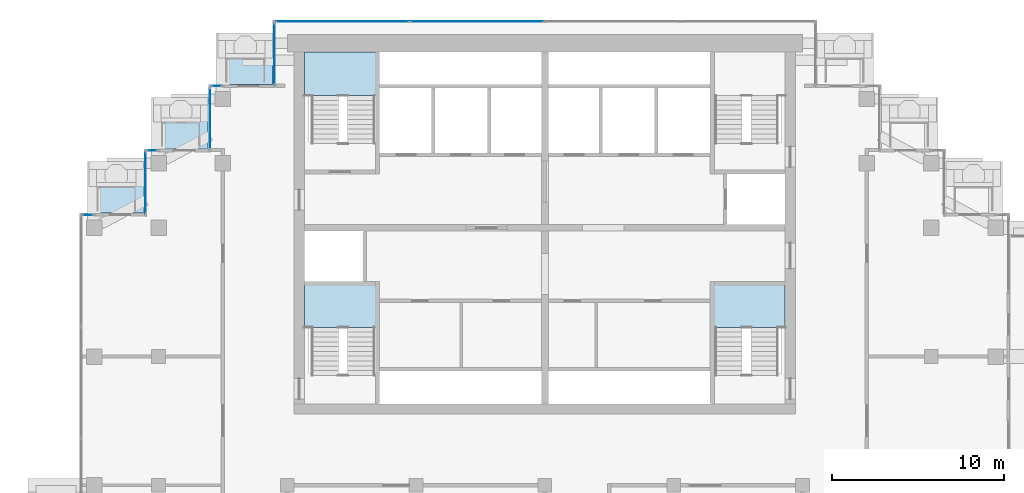
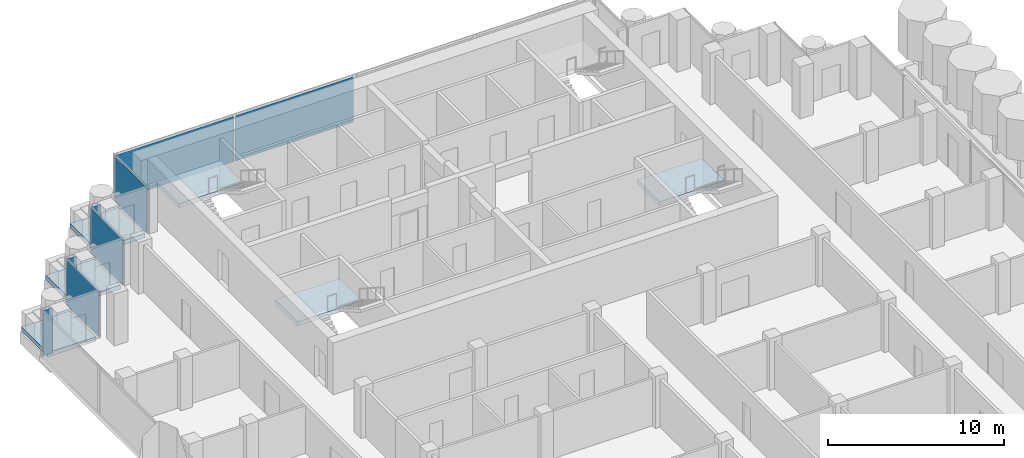
# One storey, part 9 of 18: 8 plates, 6 slabs, 10 elements without a shape of their own.
"""IFC4 building model written with IfcOpenShell, lengths in metres."""

from ifc_helpers import new_model, si_unit, direction, frame, origin, origin_2d, place, context, subcontext, project, spatial, polyline, rectangle, outline, extrude, material, layer, layer_set, type_object, element, aggregate, save


model = new_model("IFC4")

# Units and contexts
model_context = context("Model", 3, precision=1e-05, world=origin(), true_north=direction((0.0, 1.0)))
body_context = subcontext(model_context, "Body", "Model", "MODEL_VIEW")
ifc_project = project(units=[si_unit("LENGTHUNIT", "METRE"), si_unit("AREAUNIT", "SQUARE_METRE"), si_unit("VOLUMEUNIT", "CUBIC_METRE"), si_unit("PLANEANGLEUNIT", "RADIAN"), si_unit("MASSUNIT", "GRAM", prefix="KILO")], contexts=[model_context])

# Site, building, storey
site_placement = place(None, origin())
site = spatial("IfcSite", under=ifc_project, at=site_placement, CompositionType="ELEMENT")
building_placement = place(site_placement, origin())
building = spatial("IfcBuilding", under=site, at=building_placement, Name="Pilkhan Gate Tower", CompositionType="ELEMENT")
storey_placement = place(building_placement, frame((0.0, 0.0, 231.89990234375)))
storey = spatial("IfcBuildingStorey", under=building, at=storey_placement, Name="L60", CompositionType="ELEMENT", Elevation=231.89990234375)

# Slabs
ifc_material_1 = material(Name="Concrete C60/75", Category="concrete")
ifc_layer_1 = layer(ifc_material_1, 0.300048828125)
ifc_layer_set_1 = layer_set([ifc_layer_1], Name="Balcony tray slab TR300")
slab_type_1 = type_object("IfcSlabType", Name="Balcony tray slab TR300", PredefinedType="FLOOR", material=ifc_layer_set_1)
slab_1_placement = place(storey_placement, frame((0.0, 0.0, -0.2998046875)))
element("IfcSlab", 1, at=slab_1_placement, inside=storey, type_object=slab_type_1, Name="Balcony tray L60 N", PredefinedType="FLOOR", context=body_context, shape_type="SweptSolid", body=[
    extrude(outline(polyline([(59.14990234375, 90.85009765625), (59.14990234375, 93.85009765625), (55.949951171875, 93.85009765625), (55.949951171875, 90.85009765625), (59.14990234375, 90.85009765625)])), origin(), (0.0, 0.0, 1.0), 0.2998046875),
])
slab_2_placement = place(storey_placement, frame((0.0, 0.0, -0.2998046875)))
element("IfcSlab", 2, at=slab_2_placement, inside=storey, type_object=slab_type_1, Name="Balcony tray L60 N", PredefinedType="FLOOR", context=body_context, shape_type="SweptSolid", body=[
    extrude(outline(polyline([(55.3798828125, 87.1201171875), (55.3798828125, 90.10009765625), (52.199951171875, 90.10009765625), (52.199951171875, 87.1201171875), (55.3798828125, 87.1201171875)])), origin(), (0.0, 0.0, 1.0), 0.2998046875),
])
slab_3_placement = place(storey_placement, frame((0.0, 0.0, -0.2998046875)))
element("IfcSlab", 3, at=slab_3_placement, inside=storey, type_object=slab_type_1, Name="Balcony tray L60 N", PredefinedType="FLOOR", context=body_context, shape_type="SweptSolid", body=[
    extrude(outline(polyline([(51.6298828125, 83.3701171875), (51.6298828125, 86.35009765625), (48.449951171875, 86.35009765625), (48.449951171875, 83.3701171875), (51.6298828125, 83.3701171875)])), origin(), (0.0, 0.0, 1.0), 0.2998046875),
])

# Curtain wall, plates
ifc_material_2 = material(Name="Pale anodised aluminium, clear low-iron double glazing", Category="aluminium")
curtain_wall_type = type_object("IfcCurtainWallType", Name="Office unitised curtain wall CW-O2", PredefinedType="USERDEFINED", material=ifc_material_2)
curtain_wall_1_placement = place(storey_placement, origin())
curtain_wall_1 = element("IfcCurtainWall", 4, at=curtain_wall_1_placement, inside=storey, type_object=curtain_wall_type, Name="Office unitised curtain wall CW-O2 L60 N", ObjectType="UNITISED CURTAIN WALL", PredefinedType="USERDEFINED")
ifc_material_3 = material(Name="Clear low-iron double glazing", Category="glass")
ifc_layer_2 = layer(ifc_material_3, 0.031982421875)
ifc_layer_set_2 = layer_set([ifc_layer_2], Name="Glass panel CW-O2 32")
plate_type = type_object("IfcPlateType", Name="Glass panel CW-O2 32", PredefinedType="CURTAIN_PANEL", material=ifc_layer_set_2)
plate_1_placement = place(storey_placement, frame((63.203857421875, 94.5, 0.0), z_axis=(0.0, 0.0, 1.0), x_axis=(1.0, 0.0, 0.0)))
plate_1 = element("IfcPlate", 5, at=plate_1_placement, type_object=plate_type, Name="CW-O2 panel 1", PredefinedType="CURTAIN_PANEL", context=body_context, shape_type="SweptSolid", body=[
    extrude(rectangle(XDim=7.777587890625, YDim=0.031982421875, at=origin_2d()), origin(), (0.0, 0.0, 1.0), 3.135009765625),
])
plate_2_placement = place(storey_placement, frame((71.046142578125, 94.5, 0.0), z_axis=(0.0, 0.0, 1.0), x_axis=(1.0, 0.0, 0.0)))
plate_2 = element("IfcPlate", 6, at=plate_2_placement, type_object=plate_type, Name="CW-O2 panel 2", PredefinedType="CURTAIN_PANEL", context=body_context, shape_type="SweptSolid", body=[
    extrude(rectangle(XDim=7.777587890625, YDim=0.031982421875, at=origin_2d()), origin(), (0.0, 0.0, 1.0), 3.135009765625),
])
aggregate(curtain_wall_1, [plate_1, plate_2])

# Curtain wall, plate
curtain_wall_2_placement = place(storey_placement, origin())
curtain_wall_2 = element("IfcCurtainWall", 7, at=curtain_wall_2_placement, inside=storey, type_object=curtain_wall_type, Name="Office unitised curtain wall CW-O2 L60 W", ObjectType="UNITISED CURTAIN WALL", PredefinedType="USERDEFINED")
plate_3_placement = place(storey_placement, frame((59.25, 92.625, 0.0), z_axis=(0.0, 0.0, 1.0), x_axis=(0.0, 1.0, 0.0)))
plate_3 = element("IfcPlate", 8, at=plate_3_placement, type_object=plate_type, Name="CW-O2 panel 1", PredefinedType="CURTAIN_PANEL", context=body_context, shape_type="SweptSolid", body=[
    extrude(rectangle(XDim=3.6201171875, YDim=0.031982421875, at=origin_2d()), origin(), (0.0, 0.0, 1.0), 3.135009765625),
])
aggregate(curtain_wall_2, [plate_3])

curtain_wall_3_placement = place(storey_placement, origin())
curtain_wall_3 = element("IfcCurtainWall", 9, at=curtain_wall_3_placement, inside=storey, type_object=curtain_wall_type, Name="Office unitised curtain wall CW-O2 L60 N", ObjectType="UNITISED CURTAIN WALL", PredefinedType="USERDEFINED")
plate_4_placement = place(storey_placement, frame((55.875, 90.75, 0.0), z_axis=(0.0, 0.0, 1.0), x_axis=(1.0, 0.0, 0.0)))
plate_4 = element("IfcPlate", 10, at=plate_4_placement, type_object=plate_type, Name="CW-O2 panel 1", PredefinedType="CURTAIN_PANEL", context=body_context, shape_type="SweptSolid", body=[
    extrude(rectangle(XDim=0.6201171875, YDim=0.031982421875, at=origin_2d()), origin(), (0.0, 0.0, 1.0), 3.135009765625),
])
aggregate(curtain_wall_3, [plate_4])

curtain_wall_4_placement = place(storey_placement, origin())
curtain_wall_4 = element("IfcCurtainWall", 11, at=curtain_wall_4_placement, inside=storey, type_object=curtain_wall_type, Name="Office unitised curtain wall CW-O2 L60 W", ObjectType="UNITISED CURTAIN WALL", PredefinedType="USERDEFINED")
plate_5_placement = place(storey_placement, frame((55.5, 88.875, 0.0), z_axis=(0.0, 0.0, 1.0), x_axis=(0.0, 1.0, 0.0)))
plate_5 = element("IfcPlate", 12, at=plate_5_placement, type_object=plate_type, Name="CW-O2 panel 1", PredefinedType="CURTAIN_PANEL", context=body_context, shape_type="SweptSolid", body=[
    extrude(rectangle(XDim=3.6201171875, YDim=0.031982421875, at=origin_2d()), origin(), (0.0, 0.0, 1.0), 3.135009765625),
])
aggregate(curtain_wall_4, [plate_5])

curtain_wall_5_placement = place(storey_placement, origin())
curtain_wall_5 = element("IfcCurtainWall", 13, at=curtain_wall_5_placement, inside=storey, type_object=curtain_wall_type, Name="Office unitised curtain wall CW-O2 L60 N", ObjectType="UNITISED CURTAIN WALL", PredefinedType="USERDEFINED")
plate_6_placement = place(storey_placement, frame((52.125, 87.0, 0.0), z_axis=(0.0, 0.0, 1.0), x_axis=(1.0, 0.0, 0.0)))
plate_6 = element("IfcPlate", 14, at=plate_6_placement, type_object=plate_type, Name="CW-O2 panel 1", PredefinedType="CURTAIN_PANEL", context=body_context, shape_type="SweptSolid", body=[
    extrude(rectangle(XDim=0.6201171875, YDim=0.031982421875, at=origin_2d()), origin(), (0.0, 0.0, 1.0), 3.135009765625),
])
aggregate(curtain_wall_5, [plate_6])

curtain_wall_6_placement = place(storey_placement, origin())
curtain_wall_6 = element("IfcCurtainWall", 15, at=curtain_wall_6_placement, inside=storey, type_object=curtain_wall_type, Name="Office unitised curtain wall CW-O2 L60 W", ObjectType="UNITISED CURTAIN WALL", PredefinedType="USERDEFINED")
plate_7_placement = place(storey_placement, frame((51.75, 85.125, 0.0), z_axis=(0.0, 0.0, 1.0), x_axis=(0.0, 1.0, 0.0)))
plate_7 = element("IfcPlate", 16, at=plate_7_placement, type_object=plate_type, Name="CW-O2 panel 1", PredefinedType="CURTAIN_PANEL", context=body_context, shape_type="SweptSolid", body=[
    extrude(rectangle(XDim=3.6201171875, YDim=0.031982421875, at=origin_2d()), origin(), (0.0, 0.0, 1.0), 3.135009765625),
])
aggregate(curtain_wall_6, [plate_7])

curtain_wall_7_placement = place(storey_placement, origin())
curtain_wall_7 = element("IfcCurtainWall", 17, at=curtain_wall_7_placement, inside=storey, type_object=curtain_wall_type, Name="Office unitised curtain wall CW-O2 L60 N", ObjectType="UNITISED CURTAIN WALL", PredefinedType="USERDEFINED")
plate_8_placement = place(storey_placement, frame((48.375, 83.25, 0.0), z_axis=(0.0, 0.0, 1.0), x_axis=(1.0, 0.0, 0.0)))
plate_8 = element("IfcPlate", 18, at=plate_8_placement, type_object=plate_type, Name="CW-O2 panel 1", PredefinedType="CURTAIN_PANEL", context=body_context, shape_type="SweptSolid", body=[
    extrude(rectangle(XDim=0.6201171875, YDim=0.031982421875, at=origin_2d()), origin(), (0.0, 0.0, 1.0), 3.135009765625),
])
aggregate(curtain_wall_7, [plate_8])

# Stair, slab
ifc_material_4 = material(Name="Concrete C40/50 precast", Category="concrete")
stair_type_1 = type_object("IfcStairType", Name="Stair ST1 164x280", PredefinedType="HALF_TURN_STAIR", material=ifc_material_4)
stair_1_placement = place(storey_placement, origin())
stair_1 = element("IfcStair", 19, at=stair_1_placement, inside=storey, type_object=stair_type_1, Name="Stair ST1 L60", PredefinedType="HALF_TURN_STAIR")
ifc_material_5 = material(Name="Concrete C40/50", Category="concrete")
ifc_layer_3 = layer(ifc_material_5, 0.199951171875)
ifc_layer_set_3 = layer_set([ifc_layer_3], Name="Stair landing SL200")
slab_type_2 = type_object("IfcSlabType", Name="Stair landing SL200", PredefinedType="LANDING", material=ifc_layer_set_3)
slab_4_placement = place(storey_placement, frame((0.0, 0.0, 1.5)))
slab_4 = element("IfcSlab", 20, at=slab_4_placement, type_object=slab_type_2, Name="ST1 landing 1", PredefinedType="LANDING", context=body_context, shape_type="SweptSolid", body=[
    extrude(outline(polyline([(89.0, 76.699951171875), (89.0, 79.25), (84.75, 79.25), (84.75, 76.699951171875), (89.0, 76.699951171875)])), origin(), (0.0, 0.0, 1.0), 0.300048828125),
])
aggregate(stair_1, [slab_4])

stair_type_2 = type_object("IfcStairType", Name="Stair ST2 164x280", PredefinedType="HALF_TURN_STAIR", material=ifc_material_4)
stair_2_placement = place(storey_placement, origin())
stair_2 = element("IfcStair", 21, at=stair_2_placement, inside=storey, type_object=stair_type_2, Name="Stair ST2 L60", PredefinedType="HALF_TURN_STAIR")
slab_5_placement = place(storey_placement, frame((0.0, 0.0, 1.5)))
slab_5 = element("IfcSlab", 22, at=slab_5_placement, type_object=slab_type_2, Name="ST2 landing 1", PredefinedType="LANDING", context=body_context, shape_type="SweptSolid", body=[
    extrude(outline(polyline([(65.25, 76.699951171875), (65.25, 79.25), (61.0, 79.25), (61.0, 76.699951171875), (65.25, 76.699951171875)])), origin(), (0.0, 0.0, 1.0), 0.300048828125),
])
aggregate(stair_2, [slab_5])

stair_type_3 = type_object("IfcStairType", Name="Stair ST3 164x280", PredefinedType="HALF_TURN_STAIR", material=ifc_material_4)
stair_3_placement = place(storey_placement, origin())
stair_3 = element("IfcStair", 23, at=stair_3_placement, inside=storey, type_object=stair_type_3, Name="Stair ST3 L60", PredefinedType="HALF_TURN_STAIR")
slab_6_placement = place(storey_placement, frame((0.0, 0.0, 1.5)))
slab_6 = element("IfcSlab", 24, at=slab_6_placement, type_object=slab_type_2, Name="ST3 landing 1", PredefinedType="LANDING", context=body_context, shape_type="SweptSolid", body=[
    extrude(outline(polyline([(65.25, 90.199951171875), (65.25, 92.75), (61.0, 92.75), (61.0, 90.199951171875), (65.25, 90.199951171875)])), origin(), (0.0, 0.0, 1.0), 0.300048828125),
])
aggregate(stair_3, [slab_6])

save(model, "model.ifc")
